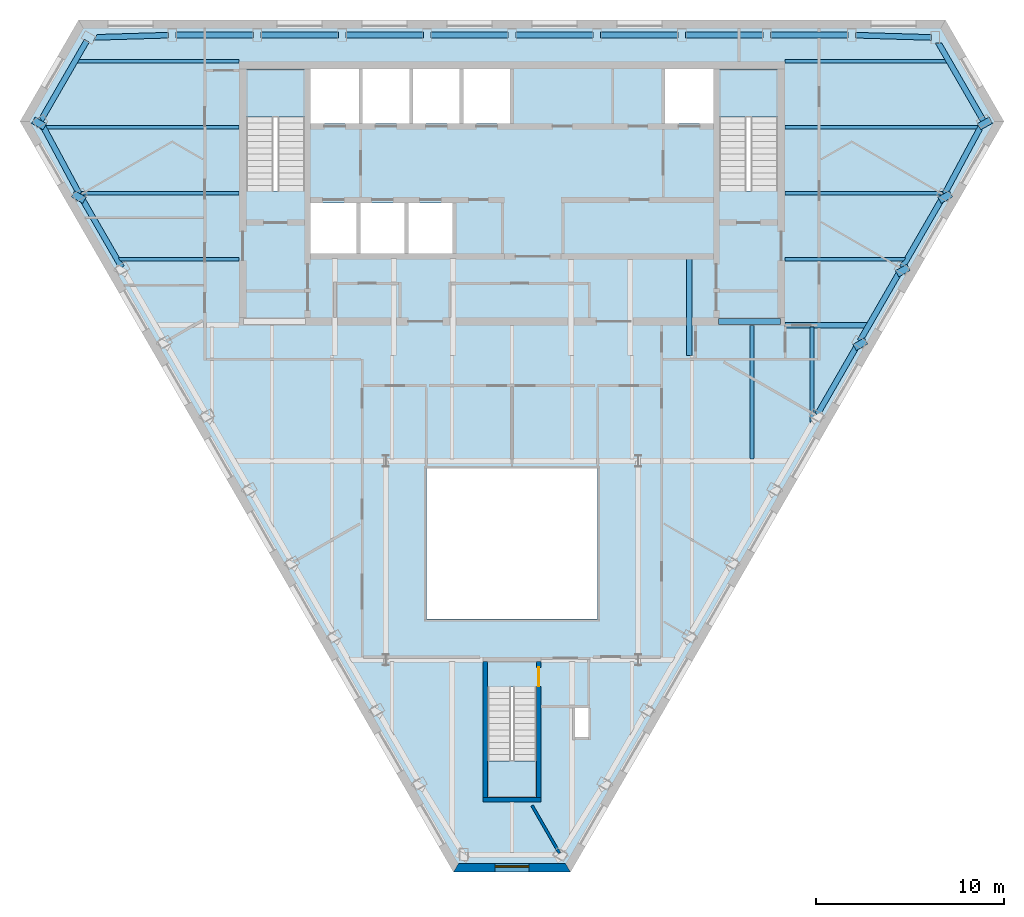
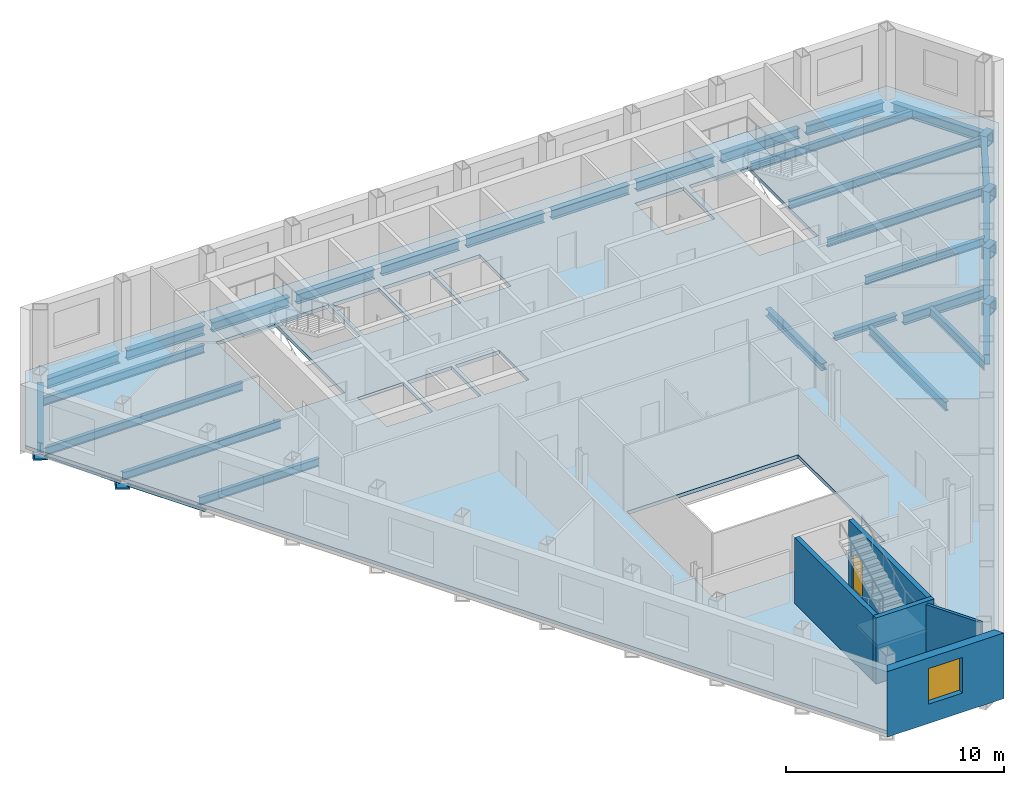
# One storey, part 3 of 10: 37 beams, 5 walls, 4 slabs, 1 door, 1 window, 2 openings, 3 elements without a shape of their own.
"""IFC4 building model written with IfcOpenShell, lengths in metres."""

from ifc_helpers import new_model, si_unit, direction, frame, frame_2d, origin, origin_2d, place, context, subcontext, project, spatial, polyline, rectangle, hollow_rectangle, i_section, outline, extrude, clip, halfspace, material, layer, layer_set, material_profile, profile_set, type_object, element, fill, aggregate, save


model = new_model("IFC4")

# Units and contexts
model_context = context("Model", 3, precision=1e-05, world=origin(), true_north=direction((0.0, 1.0)))
body_context = subcontext(model_context, "Body", "Model", "MODEL_VIEW")
ifc_project = project(units=[si_unit("LENGTHUNIT", "METRE"), si_unit("AREAUNIT", "SQUARE_METRE"), si_unit("VOLUMEUNIT", "CUBIC_METRE"), si_unit("PLANEANGLEUNIT", "RADIAN"), si_unit("MASSUNIT", "GRAM", prefix="KILO")], contexts=[model_context])

# Site, building, storey
site_placement = place(None, origin())
site = spatial("IfcSite", under=ifc_project, at=site_placement, CompositionType="ELEMENT")
building_placement = place(site_placement, origin())
building = spatial("IfcBuilding", under=site, at=building_placement, Name="Njiva Tower", CompositionType="ELEMENT")
storey_placement = place(building_placement, frame((0.0, 0.0, 245.4)))
storey = spatial("IfcBuildingStorey", under=building, at=storey_placement, Name="L55", CompositionType="ELEMENT", Elevation=245.4)

# Beams
ifc_material_1 = material(Name="Steel S355 J2", Category="steel")
ifc_material_profile_1 = material_profile(ifc_material_1, hollow_rectangle(XDim=0.7, YDim=0.7, WallThickness=0.08, at=origin_2d()), Name="BOX 700x700x80")
ifc_profile_set_1 = profile_set([ifc_material_profile_1], Name="Steel S355 J2")
beam_type_1 = type_object("IfcBeamType", Name="B19 Column jog beam BOX 700x700x80", PredefinedType="BEAM", material=ifc_profile_set_1)
beam_1_placement = place(storey_placement, frame((-25.187, 14.545, -0.55), z_axis=(0.486093928013, 0.873906570034, 0.0), x_axis=(-0.873906570034, 0.486093928013, 0.0)))
element("IfcBeam", 1, at=beam_1_placement, inside=storey, type_object=beam_type_1, Name="Column jog beam S18-B026", PredefinedType="BEAM", context=body_context, shape_type="SweptSolid", body=[
    extrude(hollow_rectangle(XDim=0.7, YDim=0.7, WallThickness=0.08, at=origin_2d()), origin(), (0.0, 0.0, 1.0), 0.3765),
])
beam_2_placement = place(storey_placement, frame((-23.086, 10.641, -0.55), z_axis=(0.487224522605, 0.87327673997, 0.0), x_axis=(-0.87327673997, 0.487224522605, 0.0)))
element("IfcBeam", 2, at=beam_2_placement, inside=storey, type_object=beam_type_1, Name="Column jog beam S18-B027", PredefinedType="BEAM", context=body_context, shape_type="SweptSolid", body=[
    extrude(hollow_rectangle(XDim=0.7, YDim=0.7, WallThickness=0.08, at=origin_2d()), origin(), (0.0, 0.0, 1.0), 0.3756),
])
beam_3_placement = place(storey_placement, frame((18.58, 2.834, -0.55), z_axis=(-0.497571005362, 0.86742324999, 0.0), x_axis=(-0.86742324999, -0.497571005362, 0.0)))
element("IfcBeam", 3, at=beam_3_placement, inside=storey, type_object=beam_type_1, Name="Column jog beam S18-B048", PredefinedType="BEAM", context=body_context, shape_type="SweptSolid", body=[
    extrude(hollow_rectangle(XDim=0.7, YDim=0.7, WallThickness=0.08, at=origin_2d()), origin(), (0.0, 0.0, 1.0), 0.3758),
])
beam_4_placement = place(storey_placement, frame((20.833, 6.737, -0.55), z_axis=(-0.489250974283, 0.872143041114, 0.0), x_axis=(-0.872143041114, -0.489250974283, 0.0)))
element("IfcBeam", 4, at=beam_4_placement, inside=storey, type_object=beam_type_1, Name="Column jog beam S18-B049", PredefinedType="BEAM", context=body_context, shape_type="SweptSolid", body=[
    extrude(hollow_rectangle(XDim=0.7, YDim=0.7, WallThickness=0.08, at=origin_2d()), origin(), (0.0, 0.0, 1.0), 0.3761),
])
beam_5_placement = place(storey_placement, frame((23.086, 10.641, -0.55), z_axis=(-0.487224522605, 0.87327673997, 0.0), x_axis=(-0.87327673997, -0.487224522605, 0.0)))
element("IfcBeam", 5, at=beam_5_placement, inside=storey, type_object=beam_type_1, Name="Column jog beam S18-B050", PredefinedType="BEAM", context=body_context, shape_type="SweptSolid", body=[
    extrude(hollow_rectangle(XDim=0.7, YDim=0.7, WallThickness=0.08, at=origin_2d()), origin(), (0.0, 0.0, 1.0), 0.3756),
])
beam_6_placement = place(storey_placement, frame((25.187, 14.545, -0.55), z_axis=(-0.486093928013, 0.873906570034, 0.0), x_axis=(-0.873906570034, -0.486093928013, 0.0)))
element("IfcBeam", 6, at=beam_6_placement, inside=storey, type_object=beam_type_1, Name="Column jog beam S18-B051", PredefinedType="BEAM", context=body_context, shape_type="SweptSolid", body=[
    extrude(hollow_rectangle(XDim=0.7, YDim=0.7, WallThickness=0.08, at=origin_2d()), origin(), (0.0, 0.0, 1.0), 0.3765),
])
ifc_material_profile_2 = material_profile(ifc_material_1, i_section(OverallWidth=0.3, OverallDepth=0.3, WebThickness=0.011, FlangeThickness=0.019, at=origin_2d()), Name="HEB 300")
ifc_profile_set_2 = profile_set([ifc_material_profile_2], Name="Steel S355 J2")
beam_type_2 = type_object("IfcBeamType", Name="B35 Core wall transfer girder HEB 300", PredefinedType="BEAM", material=ifc_profile_set_2)
beam_7_placement = place(storey_placement, frame((10.95, 4.2, -0.35), z_axis=(1.0, 0.0, 0.0), x_axis=(0.0, 1.0, 0.0)))
element("IfcBeam", 7, at=beam_7_placement, inside=storey, type_object=beam_type_2, Name="Core wall transfer girder S18-B008", PredefinedType="BEAM", context=body_context, shape_type="SweptSolid", body=[
    extrude(i_section(OverallWidth=0.3, OverallDepth=0.3, WebThickness=0.011, FlangeThickness=0.019, at=origin_2d()), origin(), (0.0, 0.0, 1.0), 3.3),
])
ifc_material_profile_3 = material_profile(ifc_material_1, i_section(OverallWidth=0.19, OverallDepth=0.45, WebThickness=0.0094, FlangeThickness=0.0146, at=origin_2d()), Name="IPE 450")
ifc_profile_set_3 = profile_set([ifc_material_profile_3], Name="Steel S355 J2")
beam_type_3 = type_object("IfcBeamType", Name="B37 Floor beam to the core IPE 450", PredefinedType="BEAM", material=ifc_profile_set_3)
beam_8_placement = place(storey_placement, frame((-20.918, 7.5, -0.425), z_axis=(1.0, 0.0, 0.0), x_axis=(0.0, 1.0, 0.0)))
element("IfcBeam", 8, at=beam_8_placement, inside=storey, type_object=beam_type_3, Name="Floor beam to the core S18-B014", PredefinedType="BEAM", context=body_context, shape_type="Clipping", body=[
    clip(extrude(i_section(OverallWidth=0.19, OverallDepth=0.45, WebThickness=0.0094, FlangeThickness=0.0146, at=origin_2d()), origin(), (0.0, 0.0, 1.0), 6.418), halfspace(frame((-0.025, 0.0, 0.089), z_axis=(-0.499998009787, 0.0, -0.866026552831), x_axis=(0.0, -1.0, 0.0)), False)),
])
beam_9_placement = place(storey_placement, frame((14.5, 7.5, -0.425), z_axis=(1.0, 0.0, 0.0), x_axis=(0.0, 1.0, 0.0)))
element("IfcBeam", 9, at=beam_9_placement, inside=storey, type_object=beam_type_3, Name="Floor beam to the core S18-B015", PredefinedType="BEAM", context=body_context, shape_type="Clipping", body=[
    clip(extrude(i_section(OverallWidth=0.19, OverallDepth=0.45, WebThickness=0.0094, FlangeThickness=0.0146, at=origin_2d()), origin(), (0.0, 0.0, 1.0), 6.418), halfspace(frame((-0.025, 0.0, 6.329), z_axis=(-0.499998009787, 0.0, 0.866026552831), x_axis=(0.0, 1.0, 0.0)), False)),
])
beam_10_placement = place(storey_placement, frame((-22.963, 11.0, -0.425), z_axis=(1.0, 0.0, 0.0), x_axis=(0.0, 1.0, 0.0)))
element("IfcBeam", 10, at=beam_10_placement, inside=storey, type_object=beam_type_3, Name="Floor beam to the core S18-B012", PredefinedType="BEAM", context=body_context, shape_type="Clipping", body=[
    clip(extrude(i_section(OverallWidth=0.19, OverallDepth=0.45, WebThickness=0.0094, FlangeThickness=0.0146, at=origin_2d()), origin(), (0.0, 0.0, 1.0), 8.463), halfspace(frame((-0.025, 0.0, 0.0896), z_axis=(-0.499998009787, 0.0, -0.866026552831), x_axis=(0.0, -1.0, 0.0)), False)),
])
beam_11_placement = place(storey_placement, frame((14.5, 11.0, -0.425), z_axis=(1.0, 0.0, 0.0), x_axis=(0.0, 1.0, 0.0)))
element("IfcBeam", 11, at=beam_11_placement, inside=storey, type_object=beam_type_3, Name="Floor beam to the core S18-B017", PredefinedType="BEAM", context=body_context, shape_type="Clipping", body=[
    clip(extrude(i_section(OverallWidth=0.19, OverallDepth=0.45, WebThickness=0.0094, FlangeThickness=0.0146, at=origin_2d()), origin(), (0.0, 0.0, 1.0), 8.463), halfspace(frame((-0.025, 0.0, 8.3734), z_axis=(-0.499998009787, 0.0, 0.866026552831), x_axis=(0.0, 1.0, 0.0)), False)),
])
beam_12_placement = place(storey_placement, frame((-23.157, 18.0, -0.425), z_axis=(1.0, 0.0, 0.0), x_axis=(0.0, 1.0, 0.0)))
element("IfcBeam", 12, at=beam_12_placement, inside=storey, type_object=beam_type_3, Name="Floor beam to the core S18-B011", PredefinedType="BEAM", context=body_context, shape_type="Clipping", body=[
    clip(extrude(i_section(OverallWidth=0.19, OverallDepth=0.45, WebThickness=0.0094, FlangeThickness=0.0146, at=origin_2d()), origin(), (0.0, 0.0, 1.0), 8.657), halfspace(frame((0.025, 0.0, 0.0892), z_axis=(0.499998009787, 0.0, -0.866026552831), x_axis=(0.0, -1.0, 0.0)), False)),
])
beam_13_placement = place(storey_placement, frame((14.5, 18.0, -0.425), z_axis=(1.0, 0.0, 0.0), x_axis=(0.0, 1.0, 0.0)))
element("IfcBeam", 13, at=beam_13_placement, inside=storey, type_object=beam_type_3, Name="Floor beam to the core S18-B019", PredefinedType="BEAM", context=body_context, shape_type="Clipping", body=[
    clip(extrude(i_section(OverallWidth=0.19, OverallDepth=0.45, WebThickness=0.0094, FlangeThickness=0.0146, at=origin_2d()), origin(), (0.0, 0.0, 1.0), 8.657), halfspace(frame((0.025, 0.0, 8.5678), z_axis=(0.499998009787, 0.0, 0.866026552831), x_axis=(0.0, 1.0, 0.0)), False)),
])
ifc_material_profile_4 = material_profile(ifc_material_1, i_section(OverallWidth=0.3, OverallDepth=0.54, WebThickness=0.0125, FlangeThickness=0.024, at=origin_2d()), Name="HEA 550")
ifc_profile_set_4 = profile_set([ifc_material_profile_4], Name="Steel S355 J2")
beam_type_4 = type_object("IfcBeamType", Name="B39 Short-span spandrel beam HEA 550", PredefinedType="SPANDREL", material=ifc_profile_set_4)
beam_14_placement = place(storey_placement, frame((22.257, 19.273, -0.47), z_axis=(-0.999547991975, 0.030063461852, 0.0), x_axis=(-0.030063461852, -0.999547991975, 0.0)))
element("IfcBeam", 14, at=beam_14_placement, inside=storey, type_object=beam_type_4, Name="Short-span spandrel beam S18-B136", PredefinedType="SPANDREL", context=body_context, shape_type="SweptSolid", body=[
    extrude(i_section(OverallWidth=0.3, OverallDepth=0.54, WebThickness=0.0125, FlangeThickness=0.024, at=origin_2d()), origin(), (0.0, 0.0, 1.0), 4.0248),
])
beam_15_placement = place(storey_placement, frame((17.83, 19.4, -0.47), z_axis=(-1.0, 0.0, 0.0), x_axis=(0.0, -1.0, 0.0)))
element("IfcBeam", 15, at=beam_15_placement, inside=storey, type_object=beam_type_4, Name="Short-span spandrel beam S18-B130", PredefinedType="SPANDREL", context=body_context, shape_type="SweptSolid", body=[
    extrude(i_section(OverallWidth=0.3, OverallDepth=0.54, WebThickness=0.0125, FlangeThickness=0.024, at=origin_2d()), origin(), (0.0, 0.0, 1.0), 4.107),
])
beam_16_placement = place(storey_placement, frame((13.323, 19.4, -0.47), z_axis=(-1.0, 0.0, 0.0), x_axis=(0.0, -1.0, 0.0)))
element("IfcBeam", 16, at=beam_16_placement, inside=storey, type_object=beam_type_4, Name="Short-span spandrel beam S18-B124", PredefinedType="SPANDREL", context=body_context, shape_type="SweptSolid", body=[
    extrude(i_section(OverallWidth=0.3, OverallDepth=0.54, WebThickness=0.0125, FlangeThickness=0.024, at=origin_2d()), origin(), (0.0, 0.0, 1.0), 4.108),
])
beam_17_placement = place(storey_placement, frame((8.815, 19.4, -0.47), z_axis=(-1.0, 0.0, 0.0), x_axis=(0.0, -1.0, 0.0)))
element("IfcBeam", 17, at=beam_17_placement, inside=storey, type_object=beam_type_4, Name="Short-span spandrel beam S18-B119", PredefinedType="SPANDREL", context=body_context, shape_type="SweptSolid", body=[
    extrude(i_section(OverallWidth=0.3, OverallDepth=0.54, WebThickness=0.0125, FlangeThickness=0.024, at=origin_2d()), origin(), (0.0, 0.0, 1.0), 4.107),
])
for number, where, z_axis, x_axis, name in (
    (18, (4.308, 19.4, -0.47), (-1.0, 0.0, 0.0), (0.0, -1.0, 0.0), "Short-span spandrel beam S18-B116"),
    (19, (-0.2, 19.4, -0.47), (-1.0, 0.0, 0.0), (0.0, -1.0, 0.0), "Short-span spandrel beam S18-B113"),
):
    element("IfcBeam", number, at=place(storey_placement, frame(where, z_axis=z_axis, x_axis=x_axis)), inside=storey, type_object=beam_type_4, Name=name, PredefinedType="SPANDREL", context=body_context, shape_type="SweptSolid", body=[
        extrude(i_section(OverallWidth=0.3, OverallDepth=0.54, WebThickness=0.0125, FlangeThickness=0.024, at=origin_2d()), origin(), (0.0, 0.0, 1.0), 4.108),
    ])
beam_18_placement = place(storey_placement, frame((-4.708, 19.4, -0.47), z_axis=(-1.0, 0.0, 0.0), x_axis=(0.0, -1.0, 0.0)))
element("IfcBeam", 20, at=beam_18_placement, inside=storey, type_object=beam_type_4, Name="Short-span spandrel beam S18-B108", PredefinedType="SPANDREL", context=body_context, shape_type="SweptSolid", body=[
    extrude(i_section(OverallWidth=0.3, OverallDepth=0.54, WebThickness=0.0125, FlangeThickness=0.024, at=origin_2d()), origin(), (0.0, 0.0, 1.0), 4.107),
])
beam_19_placement = place(storey_placement, frame((-9.215, 19.4, -0.47), z_axis=(-1.0, 0.0, 0.0), x_axis=(0.0, -1.0, 0.0)))
element("IfcBeam", 21, at=beam_19_placement, inside=storey, type_object=beam_type_4, Name="Short-span spandrel beam S18-B103", PredefinedType="SPANDREL", context=body_context, shape_type="SweptSolid", body=[
    extrude(i_section(OverallWidth=0.3, OverallDepth=0.54, WebThickness=0.0125, FlangeThickness=0.024, at=origin_2d()), origin(), (0.0, 0.0, 1.0), 4.108),
])
beam_20_placement = place(storey_placement, frame((-13.723, 19.4, -0.47), z_axis=(-1.0, 0.0, 0.0), x_axis=(0.0, -1.0, 0.0)))
element("IfcBeam", 22, at=beam_20_placement, inside=storey, type_object=beam_type_4, Name="Short-span spandrel beam S18-B097", PredefinedType="SPANDREL", context=body_context, shape_type="SweptSolid", body=[
    extrude(i_section(OverallWidth=0.3, OverallDepth=0.54, WebThickness=0.0125, FlangeThickness=0.024, at=origin_2d()), origin(), (0.0, 0.0, 1.0), 4.107),
])
beam_21_placement = place(storey_placement, frame((-18.234, 19.394, -0.47), z_axis=(-0.999552003284, -0.029929796691, 0.0), x_axis=(0.029929796691, -0.999552003284, 0.0)))
element("IfcBeam", 23, at=beam_21_placement, inside=storey, type_object=beam_type_4, Name="Short-span spandrel beam S18-B091", PredefinedType="SPANDREL", context=body_context, shape_type="Clipping", body=[
    clip(extrude(i_section(OverallWidth=0.3, OverallDepth=0.54, WebThickness=0.0125, FlangeThickness=0.024, at=origin_2d()), origin(), (0.0, 0.0, 1.0), 3.9887), halfspace(frame((-0.0259, 0.0, 3.86), z_axis=(-0.525694010976, 0.0, 0.850673737001), x_axis=(0.0, 1.0, 0.0)), False)),
])
beam_22_placement = place(storey_placement, frame((-24.873, 14.526, -0.47), z_axis=(0.47364061681, -0.880718210387, 0.0), x_axis=(0.880718210387, 0.47364061681, 0.0)))
element("IfcBeam", 24, at=beam_22_placement, inside=storey, type_object=beam_type_4, Name="Short-span spandrel beam S18-B086", PredefinedType="SPANDREL", context=body_context, shape_type="SweptSolid", body=[
    extrude(i_section(OverallWidth=0.3, OverallDepth=0.54, WebThickness=0.0125, FlangeThickness=0.024, at=origin_2d()), origin(), (0.0, 0.0, 1.0), 4.0263),
])
for number, where, z_axis, x_axis, name in (
    (25, (-22.766, 10.63, -0.47), (0.500066662559, -0.865986912717, 0.0), (0.865986912717, 0.500066662559, 0.0), "Short-span spandrel beam S18-B089"),
    (26, (16.205, -0.734, -0.47), (0.500066662559, 0.865986912717, 0.0), (-0.865986912717, 0.500066662559, 0.0), "Short-span spandrel beam S18-B134"),
):
    element("IfcBeam", number, at=place(storey_placement, frame(where, z_axis=z_axis, x_axis=x_axis)), inside=storey, type_object=beam_type_4, Name=name, PredefinedType="SPANDREL", context=body_context, shape_type="SweptSolid", body=[
        extrude(i_section(OverallWidth=0.3, OverallDepth=0.54, WebThickness=0.0125, FlangeThickness=0.024, at=origin_2d()), origin(), (0.0, 0.0, 1.0), 4.1075),
    ])
beam_23_placement = place(storey_placement, frame((18.459, 3.17, -0.47), z_axis=(0.49988405051, 0.866092336905, 0.0), x_axis=(-0.866092336905, 0.49988405051, 0.0)))
element("IfcBeam", 27, at=beam_23_placement, inside=storey, type_object=beam_type_4, Name="Short-span spandrel beam S18-B138", PredefinedType="SPANDREL", context=body_context, shape_type="SweptSolid", body=[
    extrude(i_section(OverallWidth=0.3, OverallDepth=0.54, WebThickness=0.0125, FlangeThickness=0.024, at=origin_2d()), origin(), (0.0, 0.0, 1.0), 4.107),
])
beam_24_placement = place(storey_placement, frame((20.712, 7.073, -0.47), z_axis=(0.500066662559, 0.865986912717, 0.0), x_axis=(-0.865986912717, 0.500066662559, 0.0)))
element("IfcBeam", 28, at=beam_24_placement, inside=storey, type_object=beam_type_4, Name="Short-span spandrel beam S18-B140", PredefinedType="SPANDREL", context=body_context, shape_type="SweptSolid", body=[
    extrude(i_section(OverallWidth=0.3, OverallDepth=0.54, WebThickness=0.0125, FlangeThickness=0.024, at=origin_2d()), origin(), (0.0, 0.0, 1.0), 4.1075),
])
beam_25_placement = place(storey_placement, frame((22.966, 10.98, -0.47), z_axis=(0.4736828379, 0.880695503043, 0.0), x_axis=(-0.880695503043, 0.4736828379, 0.0)))
element("IfcBeam", 29, at=beam_25_placement, inside=storey, type_object=beam_type_4, Name="Short-span spandrel beam S18-B144", PredefinedType="SPANDREL", context=body_context, shape_type="Clipping", body=[
    clip(extrude(i_section(OverallWidth=0.3, OverallDepth=0.54, WebThickness=0.0125, FlangeThickness=0.024, at=origin_2d()), origin(), (0.0, 0.0, 1.0), 4.1178), halfspace(frame((-0.0264, 0.0, 3.9891), z_axis=(-0.525865214374, 0.0, 0.850567913991), x_axis=(0.0, 1.0, 0.0)), False)),
])
ifc_material_profile_5 = material_profile(ifc_material_1, i_section(OverallWidth=0.3, OverallDepth=0.54, WebThickness=0.0125, FlangeThickness=0.024, at=origin_2d()), Name="HEA 550")
ifc_profile_set_5 = profile_set([ifc_material_profile_5], Name="Steel S355 J2")
beam_type_5 = type_object("IfcBeamType", Name="B41 Short-span floor girder HEA 550", PredefinedType="BEAM", material=ifc_profile_set_5)
beam_26_placement = place(storey_placement, frame((14.5, 4.0, -0.47), z_axis=(1.0, 0.0, 0.0), x_axis=(0.0, 1.0, 0.0)))
element("IfcBeam", 30, at=beam_26_placement, inside=storey, type_object=beam_type_5, Name="Short-span floor girder S18-B025", PredefinedType="BEAM", context=body_context, shape_type="Clipping", body=[
    clip(extrude(i_section(OverallWidth=0.3, OverallDepth=0.54, WebThickness=0.0125, FlangeThickness=0.024, at=origin_2d()), origin(), (0.0, 0.0, 1.0), 4.43), halfspace(frame((-0.025, 0.0, 4.3083), z_axis=(-0.499998009787, 0.0, 0.866026552831), x_axis=(0.0, 1.0, 0.0)), False)),
])
ifc_material_profile_6 = material_profile(ifc_material_1, i_section(OverallWidth=0.2, OverallDepth=0.5, WebThickness=0.0102, FlangeThickness=0.016, at=origin_2d()), Name="IPE 500")
ifc_profile_set_6 = profile_set([ifc_material_profile_6], Name="Steel S355 J2")
beam_type_6 = type_object("IfcBeamType", Name="B43 Floor joist IPE 500", PredefinedType="JOIST", material=ifc_profile_set_6)
beam_27_placement = place(storey_placement, frame((12.733, 3.995, -0.45), z_axis=(0.0, -1.0, 0.0), x_axis=(1.0, 0.0, 0.0)))
element("IfcBeam", 31, at=beam_27_placement, inside=storey, type_object=beam_type_6, Name="Floor joist S18-B076", PredefinedType="JOIST", context=body_context, shape_type="SweptSolid", body=[
    extrude(i_section(OverallWidth=0.2, OverallDepth=0.5, WebThickness=0.0102, FlangeThickness=0.016, at=origin_2d()), origin(), (0.0, 0.0, 1.0), 7.095),
])
beam_28_placement = place(storey_placement, frame((15.917, 3.9, -0.45), z_axis=(0.0, -1.0, 0.0), x_axis=(1.0, 0.0, 0.0)))
element("IfcBeam", 32, at=beam_28_placement, inside=storey, type_object=beam_type_6, Name="Floor joist S18-B077", PredefinedType="JOIST", context=body_context, shape_type="Clipping", body=[
    clip(extrude(i_section(OverallWidth=0.2, OverallDepth=0.5, WebThickness=0.0102, FlangeThickness=0.016, at=origin_2d()), origin(), (0.0, 0.0, 1.0), 5.126), halfspace(frame((0.043, 0.0, 4.8584), z_axis=(0.866026552831, 0.0, 0.499998009787), x_axis=(0.0, 1.0, 0.0)), False)),
])
ifc_material_profile_7 = material_profile(ifc_material_1, i_section(OverallWidth=0.3, OverallDepth=0.54, WebThickness=0.0125, FlangeThickness=0.024, at=origin_2d()), Name="HEA 550")
ifc_profile_set_7 = profile_set([ifc_material_profile_7], Name="Steel S355 J2")
beam_type_7 = type_object("IfcBeamType", Name="B44 Spandrel beam HEA 550", PredefinedType="SPANDREL", material=ifc_profile_set_7)
beam_29_placement = place(storey_placement, frame((-22.565, 19.096, -0.47), z_axis=(-0.500002418582, -0.866024007411, 0.0), x_axis=(0.866024007411, -0.500002418582, 0.0)))
element("IfcBeam", 33, at=beam_29_placement, inside=storey, type_object=beam_type_7, Name="Spandrel beam S18-B084", PredefinedType="SPANDREL", context=body_context, shape_type="Clipping", body=[
    clip(extrude(i_section(OverallWidth=0.3, OverallDepth=0.54, WebThickness=0.0125, FlangeThickness=0.024, at=origin_2d()), origin(), (0.0, 0.0, 1.0), 4.951), halfspace(frame((-0.0249, 0.0, 4.8297), z_axis=(-0.499999571628, 0.0, 0.866025651105), x_axis=(0.0, 1.0, 0.0)), False)),
])
beam_30_placement = place(storey_placement, frame((25.033, 14.822, -0.47), z_axis=(-0.500138367459, 0.865945502555, 0.0), x_axis=(-0.865945502555, -0.500138367459, 0.0)))
element("IfcBeam", 34, at=beam_30_placement, inside=storey, type_object=beam_type_7, Name="Spandrel beam S18-B143", PredefinedType="SPANDREL", context=body_context, shape_type="Clipping", body=[
    clip(extrude(i_section(OverallWidth=0.3, OverallDepth=0.54, WebThickness=0.0125, FlangeThickness=0.024, at=origin_2d()), origin(), (0.0, 0.0, 1.0), 4.8937), halfspace(frame((-0.0254, 0.0, 4.772), z_axis=(-0.500138367459, 0.0, 0.865945502555), x_axis=(0.0, 1.0, 0.0)), False)),
])
ifc_material_profile_8 = material_profile(ifc_material_1, i_section(OverallWidth=0.19, OverallDepth=0.45, WebThickness=0.0094, FlangeThickness=0.0146, at=origin_2d()), Name="IPE 450")
ifc_profile_set_8 = profile_set([ifc_material_profile_8], Name="Steel S355 J2")
beam_type_8 = type_object("IfcBeamType", Name="B45 Long-span floor beam to the core IPE 450", PredefinedType="BEAM", material=ifc_profile_set_8)
beam_31_placement = place(storey_placement, frame((-25.111, 14.5, -0.425), z_axis=(1.0, 0.0, 0.0), x_axis=(0.0, 1.0, 0.0)))
element("IfcBeam", 35, at=beam_31_placement, inside=storey, type_object=beam_type_8, Name="Long-span floor beam to the core S18-B009", PredefinedType="BEAM", context=body_context, shape_type="Clipping", body=[
    clip(extrude(i_section(OverallWidth=0.19, OverallDepth=0.45, WebThickness=0.0094, FlangeThickness=0.0146, at=origin_2d()), origin(), (0.0, 0.0, 1.0), 10.611), halfspace(frame((0.0433, 0.0, 0.26), z_axis=(0.866026552831, 0.0, -0.499998009787), x_axis=(0.0, -1.0, 0.0)), False)),
])
beam_32_placement = place(storey_placement, frame((14.5, 14.5, -0.425), z_axis=(1.0, 0.0, 0.0), x_axis=(0.0, 1.0, 0.0)))
element("IfcBeam", 36, at=beam_32_placement, inside=storey, type_object=beam_type_8, Name="Long-span floor beam to the core S18-B018", PredefinedType="BEAM", context=body_context, shape_type="Clipping", body=[
    clip(extrude(i_section(OverallWidth=0.19, OverallDepth=0.45, WebThickness=0.0094, FlangeThickness=0.0146, at=origin_2d()), origin(), (0.0, 0.0, 1.0), 10.443), halfspace(frame((0.025, 0.0, 10.3532), z_axis=(0.499998009787, 0.0, 0.866026552831), x_axis=(0.0, 1.0, 0.0)), False)),
])
ifc_material_profile_9 = material_profile(ifc_material_1, i_section(OverallWidth=0.3, OverallDepth=0.4, WebThickness=0.0135, FlangeThickness=0.024, at=origin_2d()), Name="HEB 400")
ifc_profile_set_9 = profile_set([ifc_material_profile_9], Name="Steel S355 J2")
beam_type_9 = type_object("IfcBeamType", Name="B46 Core wall transfer girder HEB 400", PredefinedType="BEAM", material=ifc_profile_set_9)
beam_33_placement = place(storey_placement, frame((9.4, 2.4, -0.4), z_axis=(0.0, 1.0, 0.0), x_axis=(-1.0, 0.0, 0.0)))
element("IfcBeam", 37, at=beam_33_placement, inside=storey, type_object=beam_type_9, Name="Core wall transfer girder S18-B007", PredefinedType="BEAM", context=body_context, shape_type="SweptSolid", body=[
    extrude(i_section(OverallWidth=0.3, OverallDepth=0.4, WebThickness=0.0135, FlangeThickness=0.024, at=origin_2d()), origin(), (0.0, 0.0, 1.0), 5.15),
])

# Stair, slab
ifc_material_2 = material(Name="Concrete C40/50", Category="concrete")
stair_type_1 = type_object("IfcStairType", Name="ST3 Exit stair 1450", PredefinedType="HALF_TURN_STAIR", material=ifc_material_2)
stair_1_placement = place(storey_placement, origin())
stair_1 = element("IfcStair", 38, at=stair_1_placement, inside=storey, type_object=stair_type_1, Name="Stair A", PredefinedType="HALF_TURN_STAIR")
ifc_layer_1 = layer(ifc_material_2, 0.2)
ifc_layer_set_1 = layer_set([ifc_layer_1], Name="Concrete C40/50")
slab_type_1 = type_object("IfcSlabType", Name="FL9 Stair landing 200", PredefinedType="LANDING", material=ifc_layer_set_1)
slab_1_placement = place(storey_placement, frame((0.0, 0.0, 1.75)))
slab_1 = element("IfcSlab", 39, at=slab_1_placement, type_object=slab_type_1, Name="ST-A landing 1", PredefinedType="LANDING", context=body_context, shape_type="SweptSolid", body=[
    extrude(outline(polyline([(-14.106, 15.06), (-10.994, 15.06), (-10.994, 17.6), (-14.106, 17.6), (-14.106, 15.06)])), origin(), (0.0, 0.0, 1.0), 0.2),
])
aggregate(stair_1, [slab_1])

stair_2_placement = place(storey_placement, origin())
stair_2 = element("IfcStair", 40, at=stair_2_placement, inside=storey, type_object=stair_type_1, Name="Stair B", PredefinedType="HALF_TURN_STAIR")
slab_2_placement = place(storey_placement, frame((0.0, 0.0, 1.75)))
slab_2 = element("IfcSlab", 41, at=slab_2_placement, type_object=slab_type_1, Name="ST-B landing 1", PredefinedType="LANDING", context=body_context, shape_type="SweptSolid", body=[
    extrude(outline(polyline([(10.994, 15.06), (14.106, 15.06), (14.106, 17.6), (10.994, 17.6), (10.994, 15.06)])), origin(), (0.0, 0.0, 1.0), 0.2),
])
aggregate(stair_2, [slab_2])

stair_type_2 = type_object("IfcStairType", Name="ST1 Exit stair 1250", PredefinedType="HALF_TURN_STAIR", material=ifc_material_2)
stair_3_placement = place(storey_placement, origin())
stair_3 = element("IfcStair", 42, at=stair_3_placement, inside=storey, type_object=stair_type_2, Name="Stair C", PredefinedType="HALF_TURN_STAIR")
slab_3_placement = place(storey_placement, frame((0.0, 0.0, 1.75)))
slab_3 = element("IfcSlab", 43, at=slab_3_placement, type_object=slab_type_1, Name="ST-C landing 1", PredefinedType="LANDING", context=body_context, shape_type="SweptSolid", body=[
    extrude(outline(polyline([(-1.306, -21.05), (1.306, -21.05), (1.306, -19.12), (-1.306, -19.12), (-1.306, -21.05)])), origin(), (0.0, 0.0, 1.0), 0.2),
])
aggregate(stair_3, [slab_3])

# Slab
ifc_material_3 = material(Name="Concrete C30/37", Category="concrete")
ifc_layer_2 = layer(ifc_material_3, 0.2)
ifc_layer_set_2 = layer_set([ifc_layer_2], Name="Concrete C30/37")
slab_type_2 = type_object("IfcSlabType", Name="SL16 Composite floor slab 200", PredefinedType="FLOOR", material=ifc_layer_set_2)
slab_4_placement = place(storey_placement, frame((0.0, 0.0, -0.2)))
element("IfcSlab", 44, at=slab_4_placement, inside=storey, type_object=slab_type_2, Name="Floor slab L55", PredefinedType="FLOOR", context=body_context, shape_type="SweptSolid", body=[
    extrude(outline(polyline([(25.8502, 14.822), (2.9751, -24.7988), (-2.9751, -24.7988), (-25.8502, 14.822), (-22.8751, 19.975), (22.8751, 19.975), (25.8502, 14.822)]), holes=[polyline([(10.994, 11.13), (14.106, 11.13), (14.106, 17.6), (10.994, 17.6), (10.994, 11.13)]), polyline([(8.125, 14.7), (10.7, 14.7), (10.7, 17.6), (8.125, 17.6), (8.125, 14.7)]), polyline([(4.55, -11.6), (4.55, -3.6), (-4.55, -3.6), (-4.55, -11.6), (4.55, -11.6)]), polyline([(3.35, -17.85), (4.05, -17.85), (4.05, -16.3), (3.35, -16.3), (3.35, -17.85)]), polyline([(-1.306, -21.05), (1.306, -21.05), (1.306, -15.19), (-1.306, -15.19), (-1.306, -21.05)]), polyline([(-2.575, 14.7), (-0.1, 14.7), (-0.1, 17.6), (-2.575, 17.6), (-2.575, 14.7)]), polyline([(-2.775, 14.7), (-2.775, 17.6), (-5.25, 17.6), (-5.25, 14.7), (-2.775, 14.7)]), polyline([(-5.5, 7.8), (-3.15, 7.8), (-3.15, 10.5), (-5.5, 10.5), (-5.5, 7.8)]), polyline([(-7.925, 14.7), (-5.45, 14.7), (-5.45, 17.6), (-7.925, 17.6), (-7.925, 14.7)]), polyline([(-8.05, 7.8), (-5.7, 7.8), (-5.7, 10.5), (-8.05, 10.5), (-8.05, 7.8)]), polyline([(-10.7, 14.7), (-8.125, 14.7), (-8.125, 17.6), (-10.7, 17.6), (-10.7, 14.7)]), polyline([(-8.25, 7.8), (-8.25, 10.5), (-10.7, 10.5), (-10.7, 7.8), (-8.25, 7.8)]), polyline([(-10.994, 11.13), (-10.994, 17.6), (-14.106, 17.6), (-14.106, 11.13), (-10.994, 11.13)])]), origin(), (0.0, 0.0, 1.0), 0.2),
])

# Walls
ifc_material_4 = material(Name="Gypsum board on steel studs", Category="gypsum")
ifc_layer_3 = layer(ifc_material_4, 0.15)
ifc_layer_set_3 = layer_set([ifc_layer_3], Name="Gypsum board on steel studs")
wall_type_1 = type_object("IfcWallType", Name="WT21 Compartment wall 150", PredefinedType="PARTITIONING", material=ifc_layer_set_3)
wall_1_placement = place(storey_placement, frame((1.063, -21.487, 0.0), z_axis=(0.0, 0.0, 1.0), x_axis=(0.499543741449, -0.866288664579, 0.0)))
element("IfcWall", 45, at=wall_1_placement, inside=storey, type_object=wall_type_1, Name="Partition S18-P017", PredefinedType="PARTITIONING", context=body_context, shape_type="SweptSolid", body=[
    extrude(rectangle(XDim=2.9067, YDim=0.15, at=frame_2d((1.4534, 0.0))), origin(), (0.0, 0.0, 1.0), 3.7),
])
ifc_layer_4 = layer(ifc_material_2, 0.25)
ifc_layer_set_4 = layer_set([ifc_layer_4], Name="Concrete C40/50")
wall_type_2 = type_object("IfcWallType", Name="WT9 Stair enclosure wall 250", PredefinedType="SHEAR", material=ifc_layer_set_4)
wall_2_placement = place(storey_placement, frame((-1.425, -21.05, 0.0), z_axis=(0.0, 0.0, 1.0), x_axis=(0.0, 1.0, 0.0)))
element("IfcWall", 46, at=wall_2_placement, inside=storey, type_object=wall_type_2, Name="Stair C wall west", PredefinedType="SHEAR", context=body_context, shape_type="SweptSolid", body=[
    extrude(rectangle(XDim=7.2, YDim=0.25, at=frame_2d((3.6, 0.0))), origin(), (0.0, 0.0, 1.0), 3.7),
])

# Wall, opening, door
wall_3_placement = place(storey_placement, frame((1.425, -21.05, 0.0), z_axis=(0.0, 0.0, 1.0), x_axis=(0.0, 1.0, 0.0)))
wall_3 = element("IfcWall", 47, at=wall_3_placement, inside=storey, type_object=wall_type_2, Name="Stair C wall east", PredefinedType="SHEAR", context=body_context, shape_type="SweptSolid", body=[
    extrude(rectangle(XDim=7.2, YDim=0.25, at=frame_2d((3.6, 0.0))), origin(), (0.0, 0.0, 1.0), 3.7),
])
opening_1_placement = place(wall_3_placement, frame((5.89, 0.0, 0.0)))
opening_1 = element("IfcOpeningElement", 48, at=opening_1_placement, cuts=wall_3, Name="Opening S18-D928", PredefinedType="OPENING", context=body_context, shape_type="SweptSolid", body=[
    extrude(rectangle(XDim=1.0, YDim=2.1, at=frame_2d((0.5, 1.05))), frame((0.0, 0.135, 0.0), z_axis=(0.0, -1.0, 0.0), x_axis=(1.0, 0.0, 0.0)), (0.0, 0.0, 1.0), 0.27),
])
ifc_material_5 = material(Name="Glazed steel fire door", Category="steel")
door_type = type_object("IfcDoorType", Name="D9 Stair vestibule door 1000x2100 glazed", OperationType="SINGLE_SWING_LEFT", PredefinedType="DOOR", material=ifc_material_5)
door_placement = place(opening_1_placement, origin())
door = element("IfcDoor", 49, at=door_placement, inside=storey, type_object=door_type, Name="Stair C door", OperationType="SINGLE_SWING_LEFT", OverallHeight=2.1, OverallWidth=1.0, PredefinedType="DOOR", context=body_context, shape_type="SweptSolid", body=[
    extrude(rectangle(XDim=1.0, YDim=2.1, at=frame_2d((0.5, 1.05))), frame((0.0, 0.025, 0.0), z_axis=(0.0, -1.0, 0.0), x_axis=(1.0, 0.0, 0.0)), (0.0, 0.0, 1.0), 0.05),
])
fill(opening_1, door)

# Wall
wall_4_placement = place(storey_placement, frame((-1.55, -21.175, 0.0), z_axis=(0.0, 0.0, 1.0), x_axis=(1.0, 0.0, 0.0)))
element("IfcWall", 50, at=wall_4_placement, inside=storey, type_object=wall_type_2, Name="Stair C wall south", PredefinedType="SHEAR", context=body_context, shape_type="SweptSolid", body=[
    extrude(rectangle(XDim=3.1, YDim=0.25, at=frame_2d((1.55, 0.0))), origin(), (0.0, 0.0, 1.0), 3.7),
])

# Wall, opening, window
ifc_material_6 = material(Name="Brick masonry, buff", Category="masonry")
ifc_layer_5 = layer(ifc_material_6, 0.45)
ifc_layer_set_5 = layer_set([ifc_layer_5], Name="Brick masonry, buff")
wall_type_3 = type_object("IfcWallType", Name="WT94 Brick pier and spandrel wall 450, buff", PredefinedType="SOLIDWALL", material=ifc_layer_set_5)
wall_5_placement = place(storey_placement, frame((-2.9751, -24.7988, -0.18), z_axis=(0.0, 0.0, 1.0), x_axis=(1.0, 0.0, 0.0)))
wall_5 = element("IfcWall", 51, at=wall_5_placement, inside=storey, type_object=wall_type_3, Name="Facade wall S", PredefinedType="SOLIDWALL", context=body_context, shape_type="SweptSolid", body=[
    extrude(outline(polyline([(-0.1299, -0.225), (6.0801, -0.225), (5.8203, 0.225), (0.1299, 0.225), (-0.1299, -0.225)])), origin(), (0.0, 0.0, 1.0), 3.68),
])
opening_2_placement = place(wall_5_placement, frame((2.0751, 0.0, 1.08)))
opening_2 = element("IfcOpeningElement", 52, at=opening_2_placement, cuts=wall_5, Name="Opening S18-W18", PredefinedType="OPENING", context=body_context, shape_type="SweptSolid", body=[
    extrude(rectangle(XDim=1.8, YDim=2.0, at=frame_2d((0.9, 1.0))), frame((0.0, 0.235, 0.0), z_axis=(0.0, -1.0, 0.0), x_axis=(1.0, 0.0, 0.0)), (0.0, 0.0, 1.0), 0.47),
])
ifc_material_7 = material(Name="Clear glazing in aluminium frame", Category="aluminium")
window_type = type_object("IfcWindowType", Name="W94 Deep-set window 1800x2000", PartitioningType="SINGLE_PANEL", PredefinedType="WINDOW", material=ifc_material_7)
window_placement = place(opening_2_placement, origin())
window = element("IfcWindow", 53, at=window_placement, inside=storey, type_object=window_type, Name="Window", OverallHeight=2.0, OverallWidth=1.8, PartitioningType="SINGLE_PANEL", PredefinedType="WINDOW", context=body_context, shape_type="SweptSolid", body=[
    extrude(rectangle(XDim=1.8, YDim=2.0, at=frame_2d((0.9, 1.0))), frame((0.0, 0.105, 0.0), z_axis=(0.0, -1.0, 0.0), x_axis=(1.0, 0.0, 0.0)), (0.0, 0.0, 1.0), 0.06),
])
fill(opening_2, window)

save(model, "model.ifc")
